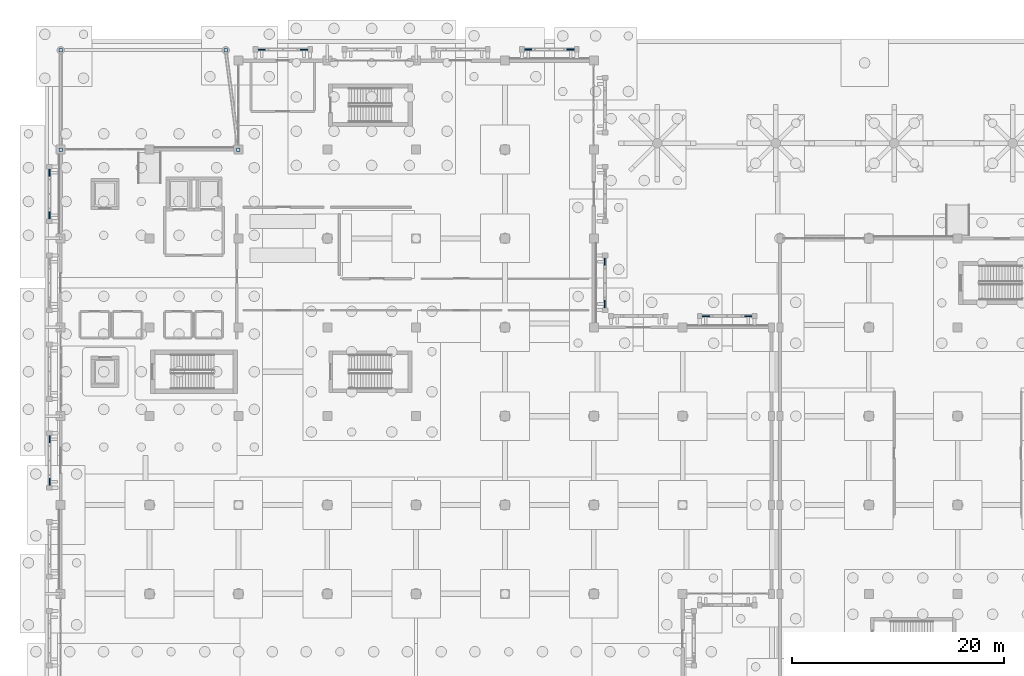
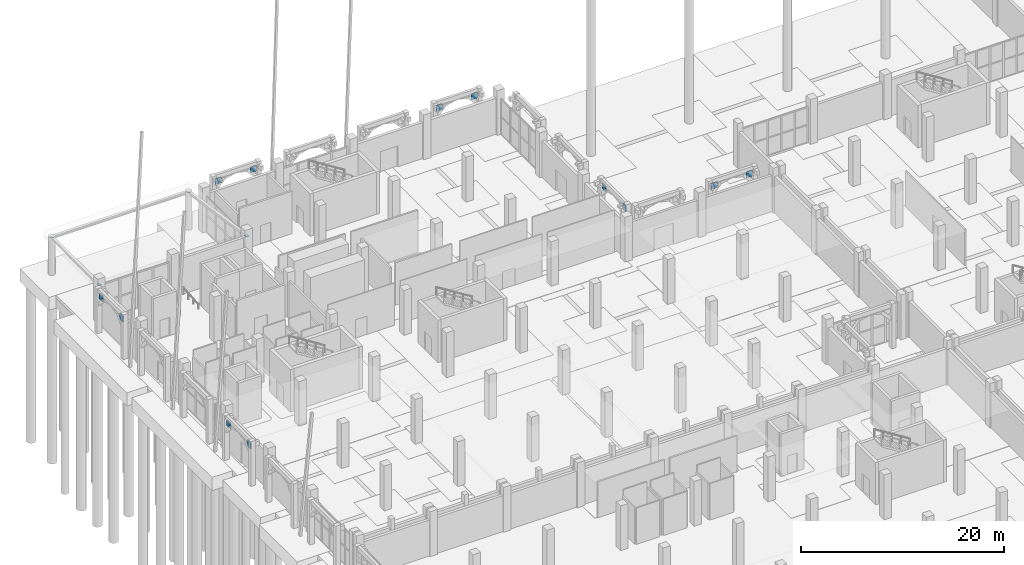
# One storey, part 59 of 98: 16 plates.
"""IFC4 building model written with IfcOpenShell, lengths in metres."""

from ifc_helpers import new_model, si_unit, direction, frame, origin, origin_2d, place, context, subcontext, project, spatial, rectangle, extrude, material, layer, layer_set, type_object, element, save


model = new_model("IFC4")

# Units and contexts
model_context = context("Model", 3, precision=1e-05, world=origin(), true_north=direction((0.0, 1.0)))
body_context = subcontext(model_context, "Body", "Model", "MODEL_VIEW")
ifc_project = project(units=[si_unit("LENGTHUNIT", "METRE"), si_unit("AREAUNIT", "SQUARE_METRE"), si_unit("VOLUMEUNIT", "CUBIC_METRE"), si_unit("PLANEANGLEUNIT", "RADIAN"), si_unit("MASSUNIT", "GRAM", prefix="KILO")], contexts=[model_context])

# Site, building, storey
site_placement = place(None, origin())
site = spatial("IfcSite", under=ifc_project, at=site_placement, CompositionType="ELEMENT")
building_placement = place(site_placement, origin())
building = spatial("IfcBuilding", under=site, at=building_placement, Name="Xazarin Passage Department Store", CompositionType="ELEMENT")
storey_placement = place(building_placement, origin())
storey = spatial("IfcBuildingStorey", under=building, at=storey_placement, Name="L00", CompositionType="ELEMENT", Elevation=0.0)

# Plates
ifc_material_1 = material(Name="Precast concrete C40/50", Category="concrete")
ifc_layer_1 = layer(ifc_material_1, 0.080078125)
ifc_layer_set_1 = layer_set([ifc_layer_1], Name="Precast concrete C40/50")
plate_type_1 = type_object("IfcPlateType", Name="ARC-PLT-SCR-01", PredefinedType="USERDEFINED", material=ifc_layer_set_1)
for number, where, z_axis, x_axis, name in (
    (1, (19.0, 111.050048828125, 4.16015625), (0.0, 0.0, 1.0), (1.0, 0.0, 0.0), "L00 V1 Arch Spandrel Tympanum 0001"),
    (2, (23.0, 111.050048828125, 4.16015625), (0.0, 0.0, 1.0), (1.0, 0.0, 0.0), "L00 V1 Arch Spandrel Tympanum 0002"),
    (3, (51.449951171875, 87.0, 4.16015625), (0.0, 0.0, 1.0), (0.0, 1.0, 0.0), "L00 V1 Arch Spandrel Tympanum 0141"),
    (4, (51.449951171875, 91.0, 4.16015625), (0.0, 0.0, 1.0), (0.0, 1.0, 0.0), "L00 V1 Arch Spandrel Tympanum 0142"),
):
    element("IfcPlate", number, at=place(storey_placement, frame(where, z_axis=z_axis, x_axis=x_axis)), inside=storey, type_object=plate_type_1, Name=name, ObjectType="SCREEN PANEL", PredefinedType="USERDEFINED", context=body_context, shape_type="SweptSolid", body=[
        extrude(rectangle(XDim=0.679931640625, YDim=0.080078125, at=origin_2d()), origin(), (0.0, 0.0, 1.0), 0.719970703125),
    ])
ifc_layer_2 = layer(ifc_material_1, 0.10009765625)
ifc_layer_set_2 = layer_set([ifc_layer_2], Name="Precast concrete C40/50")
plate_type_2 = type_object("IfcPlateType", Name="ARC-PLT-SCR-03", PredefinedType="USERDEFINED", material=ifc_layer_set_2)
for number, where, z_axis, x_axis, name in (
    (5, (-1.050048828125, 70.199951171875, 4.16015625), (0.0, 0.0, 1.0), (0.0, 1.0, 0.0), "L00 V1 Arch Spandrel Tympanum 0083"),
    (6, (-1.050048828125, 74.199951171875, 4.16015625), (0.0, 0.0, 1.0), (0.0, 1.0, 0.0), "L00 V1 Arch Spandrel Tympanum 0084"),
):
    element("IfcPlate", number, at=place(storey_placement, frame(where, z_axis=z_axis, x_axis=x_axis)), inside=storey, type_object=plate_type_2, Name=name, ObjectType="SCREEN PANEL", PredefinedType="USERDEFINED", context=body_context, shape_type="SweptSolid", body=[
        extrude(rectangle(XDim=0.679931640625, YDim=0.10009765625, at=origin_2d()), origin(), (0.0, 0.0, 1.0), 0.719970703125),
    ])
ifc_layer_3 = layer(ifc_material_1, 0.1201171875)
ifc_layer_set_3 = layer_set([ifc_layer_3], Name="Precast concrete C40/50")
plate_type_3 = type_object("IfcPlateType", Name="ARC-PLT-SCR-05", PredefinedType="USERDEFINED", material=ifc_layer_set_3)
for number, where, z_axis, x_axis, name in (
    (7, (44.199951171875, 111.050048828125, 4.16015625), (0.0, 0.0, 1.0), (1.0, 0.0, 0.0), "L00 V1 Arch Spandrel Tympanum 0045"),
    (8, (48.199951171875, 111.050048828125, 4.16015625), (0.0, 0.0, 1.0), (1.0, 0.0, 0.0), "L00 V1 Arch Spandrel Tympanum 0046"),
    (9, (61.0, 85.85009765625, 4.16015625), (0.0, 0.0, 1.0), (1.0, 0.0, 0.0), "L00 V1 Arch Spandrel Tympanum 0065"),
    (10, (65.0, 85.85009765625, 4.16015625), (0.0, 0.0, 1.0), (1.0, 0.0, 0.0), "L00 V1 Arch Spandrel Tympanum 0066"),
    (11, (-1.050048828125, 95.39990234375, 4.16015625), (0.0, 0.0, 1.0), (0.0, 1.0, 0.0), "L00 V1 Arch Spandrel Tympanum 0125"),
    (12, (-1.050048828125, 99.39990234375, 4.16015625), (0.0, 0.0, 1.0), (0.0, 1.0, 0.0), "L00 V1 Arch Spandrel Tympanum 0126"),
):
    element("IfcPlate", number, at=place(storey_placement, frame(where, z_axis=z_axis, x_axis=x_axis)), inside=storey, type_object=plate_type_3, Name=name, ObjectType="SCREEN PANEL", PredefinedType="USERDEFINED", context=body_context, shape_type="SweptSolid", body=[
        extrude(rectangle(XDim=0.679931640625, YDim=0.1201171875, at=origin_2d()), origin(), (0.0, 0.0, 1.0), 0.719970703125),
    ])
ifc_material_2 = material(Name="Steel S355", Category="steel")
ifc_layer_4 = layer(ifc_material_2, 0.02001953125)
ifc_layer_set_4 = layer_set([ifc_layer_4], Name="Steel S355")
plate_type_4 = type_object("IfcPlateType", Name="STR-PLT-CAP20", PredefinedType="USERDEFINED", material=ifc_layer_set_4)
for number, where, z_axis, x_axis, name in (
    (13, (0.0, 101.60009765625, 4.3740234375), (0.0, 0.0, 1.0), (1.0, 0.0, 0.0), "Entrance Canopy Chord End Cap CN1-1-1"),
    (14, (0.0, 111.0, 4.3740234375), (0.0, 0.0, 1.0), (1.0, 0.0, 0.0), "Entrance Canopy Chord End Cap CN1-1-2"),
    (15, (16.800048828125, 101.60009765625, 4.3740234375), (0.0, 0.0, 1.0), (1.0, 0.0, 0.0), "Entrance Canopy Chord End Cap CN1-2-1"),
    (16, (15.60009765625, 111.0, 4.3740234375), (0.0, 0.0, 1.0), (1.0, 0.0, 0.0), "Entrance Canopy Chord End Cap CN1-2-2"),
):
    element("IfcPlate", number, at=place(storey_placement, frame(where, z_axis=z_axis, x_axis=x_axis)), inside=storey, type_object=plate_type_4, Name=name, ObjectType="GUSSET PLATE", PredefinedType="USERDEFINED", context=body_context, shape_type="SweptSolid", body=[
        extrude(rectangle(XDim=0.320068359375, YDim=0.320068359375, at=origin_2d()), origin(), (0.0, 0.0, 1.0), 0.031982421875),
    ])

save(model, "model.ifc")
